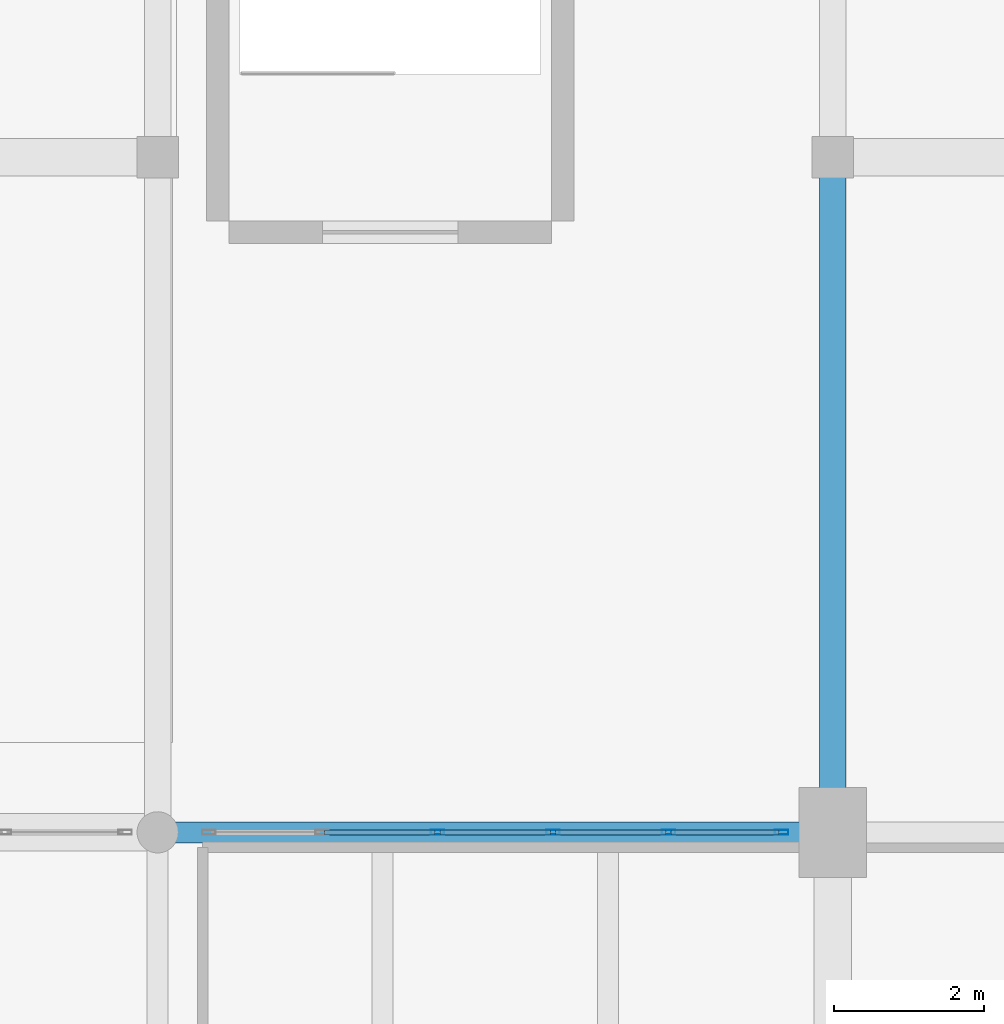
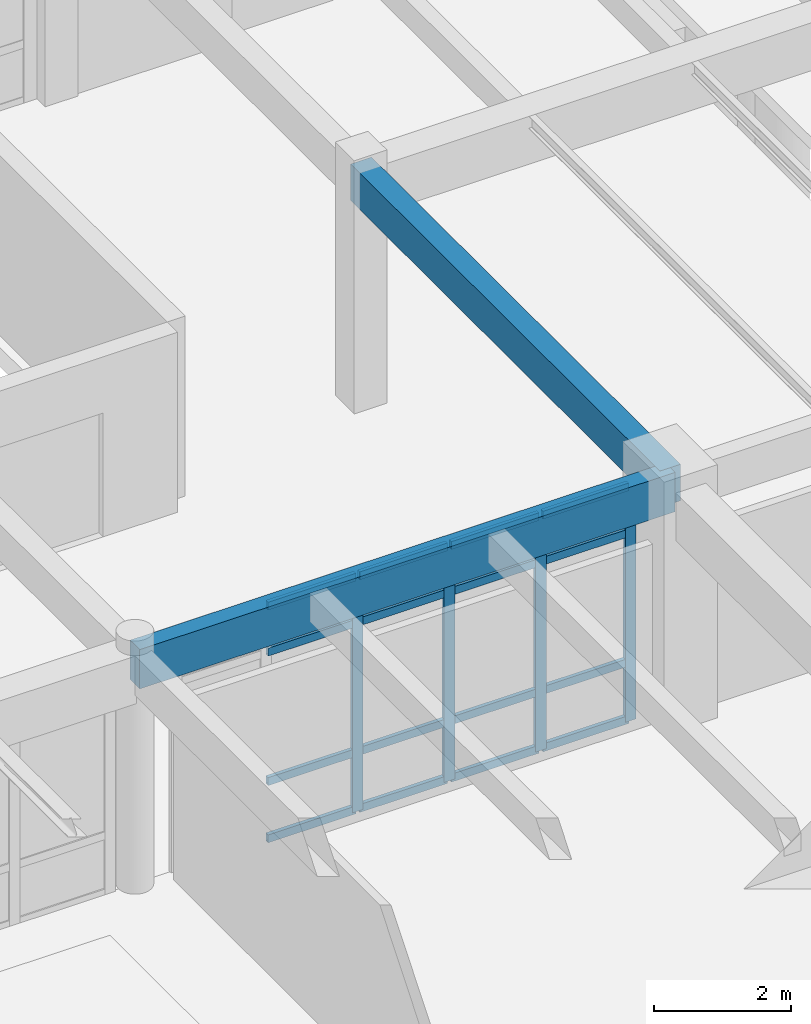
# One storey, part 89 of 186: 20 members, 2 beams, 1 element without a shape of its own.
"""IFC4 building model written with IfcOpenShell, lengths in metres."""

from ifc_helpers import new_model, si_unit, direction, frame, origin, origin_2d, place, context, subcontext, project, spatial, rectangle, hollow_rectangle, extrude, material, layer, layer_set, material_profile, profile_set, type_object, element, aggregate, save


model = new_model("IFC4")

# Units and contexts
model_context = context("Model", 3, precision=1e-05, world=origin(), true_north=direction((0.0, 1.0)))
body_context = subcontext(model_context, "Body", "Model", "MODEL_VIEW")
ifc_project = project(units=[si_unit("LENGTHUNIT", "METRE"), si_unit("AREAUNIT", "SQUARE_METRE"), si_unit("VOLUMEUNIT", "CUBIC_METRE"), si_unit("PLANEANGLEUNIT", "RADIAN"), si_unit("MASSUNIT", "GRAM", prefix="KILO")], contexts=[model_context])

# Site, building, storey
site_placement = place(None, origin())
site = spatial("IfcSite", under=ifc_project, at=site_placement, CompositionType="ELEMENT")
building_placement = place(site_placement, origin())
building = spatial("IfcBuilding", under=site, at=building_placement, Name="Ornek Quay Market", CompositionType="ELEMENT")
storey_placement = place(building_placement, origin())
storey = spatial("IfcBuildingStorey", under=building, at=storey_placement, Name="L00", CompositionType="ELEMENT", Elevation=0.0)

# Beams
ifc_material_1 = material(Name="Concrete C35/45", Category="concrete")
ifc_material_profile_1 = material_profile(ifc_material_1, rectangle(XDim=0.35009765625, YDim=0.64990234375, at=origin_2d()), Name="RC 350x650", Category="concrete")
ifc_profile_set_1 = profile_set([ifc_material_profile_1], Name="Concrete C35/45")
beam_type_1 = type_object("IfcBeamType", Name="BM-CONC-350x650", PredefinedType="BEAM", material=ifc_profile_set_1)
beam_1_placement = place(storey_placement, frame((117.0, 92.0, 3.9150390625), z_axis=(0.0, 1.0, 0.0), x_axis=(-1.0, 0.0, 0.0)))
element("IfcBeam", 1, at=beam_1_placement, inside=storey, type_object=beam_type_1, Name="Primary beam B-CN1-109", PredefinedType="BEAM", context=body_context, shape_type="SweptSolid", body=[
    extrude(rectangle(XDim=0.35009765625, YDim=0.64990234375, at=origin_2d()), origin(), (0.0, 0.0, 1.0), 9.0),
])
ifc_material_profile_2 = material_profile(ifc_material_1, rectangle(XDim=0.280029296875, YDim=0.699951171875, at=origin_2d()), Name="RC 280x700", Category="concrete")
ifc_profile_set_2 = profile_set([ifc_material_profile_2], Name="Concrete C35/45")
beam_type_2 = type_object("IfcBeamType", Name="BM-SPN-280x700", PredefinedType="SPANDREL", material=ifc_profile_set_2)
beam_2_placement = place(storey_placement, frame((108.0, 92.0, 3.889892578125), z_axis=(1.0, 0.0, 0.0), x_axis=(0.0, 1.0, 0.0)))
element("IfcBeam", 2, at=beam_2_placement, inside=storey, type_object=beam_type_2, Name="Primary beam B-SP2-033", PredefinedType="SPANDREL", context=body_context, shape_type="SweptSolid", body=[
    extrude(rectangle(XDim=0.280029296875, YDim=0.699951171875, at=origin_2d()), origin(), (0.0, 0.0, 1.0), 9.0),
])

# Curtain wall, members
ifc_material_2 = material(Name="Anodised bronze aluminium and triple low-e glass", Category="aluminium")
ifc_layer = layer(ifc_material_2, 0.139892578125, Name="Anodised bronze aluminium and triple low-e glass", Category="aluminium")
ifc_layer_set = layer_set([ifc_layer], Name="Anodised bronze aluminium and triple low-e glass")
curtain_wall_type = type_object("IfcCurtainWallType", Name="CW-GALLERY-INT", PredefinedType="USERDEFINED", material=ifc_layer_set)
curtain_wall_placement = place(storey_placement, origin())
curtain_wall = element("IfcCurtainWall", 3, at=curtain_wall_placement, inside=storey, type_object=curtain_wall_type, Name="Curtain wall CW-126", ObjectType="CURTAIN WALL", PredefinedType="USERDEFINED")
ifc_material_3 = material(Name="Anodised aluminium 6063-T6", Category="aluminium")
ifc_material_profile_3 = material_profile(ifc_material_3, hollow_rectangle(XDim=0.06494140625, YDim=0.179931640625, WallThickness=0.00439453125, at=origin_2d()), Name="CW-MUL-65x180", Category="aluminium")
ifc_profile_set_3 = profile_set([ifc_material_profile_3], Name="Anodised aluminium 6063-T6")
member_type_1 = type_object("IfcMemberType", Name="CW-MUL-65x180", PredefinedType="MULLION", material=ifc_profile_set_3)
member_1_placement = place(storey_placement, frame((111.72998046875, 92.0, 0.0), z_axis=(0.0, 0.0, 1.0), x_axis=(0.0, 1.0, 0.0)))
member_1 = element("IfcMember", 4, at=member_1_placement, type_object=member_type_1, Name="CW-126 mullion 3", PredefinedType="MULLION", context=body_context, shape_type="SweptSolid", body=[
    extrude(hollow_rectangle(XDim=0.06494140625, YDim=0.179931640625, WallThickness=0.00439453125, at=origin_2d()), origin(), (0.0, 0.0, 1.0), 4.199951171875),
])
member_2_placement = place(storey_placement, frame((113.27001953125, 92.0, 0.0), z_axis=(0.0, 0.0, 1.0), x_axis=(0.0, 1.0, 0.0)))
member_2 = element("IfcMember", 5, at=member_2_placement, type_object=member_type_1, Name="CW-126 mullion 4", PredefinedType="MULLION", context=body_context, shape_type="SweptSolid", body=[
    extrude(hollow_rectangle(XDim=0.06494140625, YDim=0.179931640625, WallThickness=0.00439453125, at=origin_2d()), origin(), (0.0, 0.0, 1.0), 4.199951171875),
])
member_3_placement = place(storey_placement, frame((114.81005859375, 92.0, 0.0), z_axis=(0.0, 0.0, 1.0), x_axis=(0.0, 1.0, 0.0)))
member_3 = element("IfcMember", 6, at=member_3_placement, type_object=member_type_1, Name="CW-126 mullion 5", PredefinedType="MULLION", context=body_context, shape_type="SweptSolid", body=[
    extrude(hollow_rectangle(XDim=0.06494140625, YDim=0.179931640625, WallThickness=0.00439453125, at=origin_2d()), origin(), (0.0, 0.0, 1.0), 4.199951171875),
])
member_4_placement = place(storey_placement, frame((116.3173828125, 92.0, 0.0), z_axis=(0.0, 0.0, 1.0), x_axis=(0.0, 1.0, 0.0)))
member_4 = element("IfcMember", 7, at=member_4_placement, type_object=member_type_1, Name="CW-126 mullion 6", PredefinedType="MULLION", context=body_context, shape_type="SweptSolid", body=[
    extrude(hollow_rectangle(XDim=0.06494140625, YDim=0.179931640625, WallThickness=0.00439453125, at=origin_2d()), origin(), (0.0, 0.0, 1.0), 4.199951171875),
])
ifc_material_profile_4 = material_profile(ifc_material_3, hollow_rectangle(XDim=0.06494140625, YDim=0.139892578125, WallThickness=0.00439453125, at=origin_2d()), Name="CW-TRN-65x140", Category="aluminium")
ifc_profile_set_4 = profile_set([ifc_material_profile_4], Name="Anodised aluminium 6063-T6")
member_type_2 = type_object("IfcMemberType", Name="CW-TRN-65x140", PredefinedType="USERDEFINED", material=ifc_profile_set_4)
member_5_placement = place(storey_placement, frame((110.222412109375, 92.0, 0.032470703125), z_axis=(1.0, 0.0, 0.0), x_axis=(0.0, 1.0, 0.0)))
member_5 = element("IfcMember", 8, at=member_5_placement, type_object=member_type_2, Name="CW-126 transom 2.1", ObjectType="TRANSOM", PredefinedType="USERDEFINED", context=body_context, shape_type="SweptSolid", body=[
    extrude(hollow_rectangle(XDim=0.06494140625, YDim=0.139892578125, WallThickness=0.00439453125, at=origin_2d()), origin(), (0.0, 0.0, 1.0), 1.47509765625),
])
member_6_placement = place(storey_placement, frame((110.222412109375, 92.0, 1.050048828125), z_axis=(1.0, 0.0, 0.0), x_axis=(0.0, 1.0, 0.0)))
member_6 = element("IfcMember", 9, at=member_6_placement, type_object=member_type_2, Name="CW-126 transom 2.2", ObjectType="TRANSOM", PredefinedType="USERDEFINED", context=body_context, shape_type="SweptSolid", body=[
    extrude(hollow_rectangle(XDim=0.06494140625, YDim=0.139892578125, WallThickness=0.00439453125, at=origin_2d()), origin(), (0.0, 0.0, 1.0), 1.47509765625),
])
member_7_placement = place(storey_placement, frame((110.222412109375, 92.0, 3.35009765625), z_axis=(1.0, 0.0, 0.0), x_axis=(0.0, 1.0, 0.0)))
member_7 = element("IfcMember", 10, at=member_7_placement, type_object=member_type_2, Name="CW-126 transom 2.3", ObjectType="TRANSOM", PredefinedType="USERDEFINED", context=body_context, shape_type="SweptSolid", body=[
    extrude(hollow_rectangle(XDim=0.06494140625, YDim=0.139892578125, WallThickness=0.00439453125, at=origin_2d()), origin(), (0.0, 0.0, 1.0), 1.47509765625),
])
member_8_placement = place(storey_placement, frame((110.222412109375, 92.0, 4.16748046875), z_axis=(1.0, 0.0, 0.0), x_axis=(0.0, 1.0, 0.0)))
member_8 = element("IfcMember", 11, at=member_8_placement, type_object=member_type_2, Name="CW-126 transom 2.4", ObjectType="TRANSOM", PredefinedType="USERDEFINED", context=body_context, shape_type="SweptSolid", body=[
    extrude(hollow_rectangle(XDim=0.06494140625, YDim=0.139892578125, WallThickness=0.00439453125, at=origin_2d()), origin(), (0.0, 0.0, 1.0), 1.47509765625),
])
member_9_placement = place(storey_placement, frame((111.762451171875, 92.0, 0.032470703125), z_axis=(1.0, 0.0, 0.0), x_axis=(0.0, 1.0, 0.0)))
member_9 = element("IfcMember", 12, at=member_9_placement, type_object=member_type_2, Name="CW-126 transom 3.1", ObjectType="TRANSOM", PredefinedType="USERDEFINED", context=body_context, shape_type="SweptSolid", body=[
    extrude(hollow_rectangle(XDim=0.06494140625, YDim=0.139892578125, WallThickness=0.00439453125, at=origin_2d()), origin(), (0.0, 0.0, 1.0), 1.47509765625),
])
member_10_placement = place(storey_placement, frame((111.762451171875, 92.0, 1.050048828125), z_axis=(1.0, 0.0, 0.0), x_axis=(0.0, 1.0, 0.0)))
member_10 = element("IfcMember", 13, at=member_10_placement, type_object=member_type_2, Name="CW-126 transom 3.2", ObjectType="TRANSOM", PredefinedType="USERDEFINED", context=body_context, shape_type="SweptSolid", body=[
    extrude(hollow_rectangle(XDim=0.06494140625, YDim=0.139892578125, WallThickness=0.00439453125, at=origin_2d()), origin(), (0.0, 0.0, 1.0), 1.47509765625),
])
member_11_placement = place(storey_placement, frame((111.762451171875, 92.0, 3.35009765625), z_axis=(1.0, 0.0, 0.0), x_axis=(0.0, 1.0, 0.0)))
member_11 = element("IfcMember", 14, at=member_11_placement, type_object=member_type_2, Name="CW-126 transom 3.3", ObjectType="TRANSOM", PredefinedType="USERDEFINED", context=body_context, shape_type="SweptSolid", body=[
    extrude(hollow_rectangle(XDim=0.06494140625, YDim=0.139892578125, WallThickness=0.00439453125, at=origin_2d()), origin(), (0.0, 0.0, 1.0), 1.47509765625),
])
member_12_placement = place(storey_placement, frame((111.762451171875, 92.0, 4.16748046875), z_axis=(1.0, 0.0, 0.0), x_axis=(0.0, 1.0, 0.0)))
member_12 = element("IfcMember", 15, at=member_12_placement, type_object=member_type_2, Name="CW-126 transom 3.4", ObjectType="TRANSOM", PredefinedType="USERDEFINED", context=body_context, shape_type="SweptSolid", body=[
    extrude(hollow_rectangle(XDim=0.06494140625, YDim=0.139892578125, WallThickness=0.00439453125, at=origin_2d()), origin(), (0.0, 0.0, 1.0), 1.47509765625),
])
member_13_placement = place(storey_placement, frame((113.302490234375, 92.0, 0.032470703125), z_axis=(1.0, 0.0, 0.0), x_axis=(0.0, 1.0, 0.0)))
member_13 = element("IfcMember", 16, at=member_13_placement, type_object=member_type_2, Name="CW-126 transom 4.1", ObjectType="TRANSOM", PredefinedType="USERDEFINED", context=body_context, shape_type="SweptSolid", body=[
    extrude(hollow_rectangle(XDim=0.06494140625, YDim=0.139892578125, WallThickness=0.00439453125, at=origin_2d()), origin(), (0.0, 0.0, 1.0), 1.47509765625),
])
member_14_placement = place(storey_placement, frame((113.302490234375, 92.0, 1.050048828125), z_axis=(1.0, 0.0, 0.0), x_axis=(0.0, 1.0, 0.0)))
member_14 = element("IfcMember", 17, at=member_14_placement, type_object=member_type_2, Name="CW-126 transom 4.2", ObjectType="TRANSOM", PredefinedType="USERDEFINED", context=body_context, shape_type="SweptSolid", body=[
    extrude(hollow_rectangle(XDim=0.06494140625, YDim=0.139892578125, WallThickness=0.00439453125, at=origin_2d()), origin(), (0.0, 0.0, 1.0), 1.47509765625),
])
member_15_placement = place(storey_placement, frame((113.302490234375, 92.0, 3.35009765625), z_axis=(1.0, 0.0, 0.0), x_axis=(0.0, 1.0, 0.0)))
member_15 = element("IfcMember", 18, at=member_15_placement, type_object=member_type_2, Name="CW-126 transom 4.3", ObjectType="TRANSOM", PredefinedType="USERDEFINED", context=body_context, shape_type="SweptSolid", body=[
    extrude(hollow_rectangle(XDim=0.06494140625, YDim=0.139892578125, WallThickness=0.00439453125, at=origin_2d()), origin(), (0.0, 0.0, 1.0), 1.47509765625),
])
member_16_placement = place(storey_placement, frame((113.302490234375, 92.0, 4.16748046875), z_axis=(1.0, 0.0, 0.0), x_axis=(0.0, 1.0, 0.0)))
member_16 = element("IfcMember", 19, at=member_16_placement, type_object=member_type_2, Name="CW-126 transom 4.4", ObjectType="TRANSOM", PredefinedType="USERDEFINED", context=body_context, shape_type="SweptSolid", body=[
    extrude(hollow_rectangle(XDim=0.06494140625, YDim=0.139892578125, WallThickness=0.00439453125, at=origin_2d()), origin(), (0.0, 0.0, 1.0), 1.47509765625),
])
member_17_placement = place(storey_placement, frame((114.842529296875, 92.0, 0.032470703125), z_axis=(1.0, 0.0, 0.0), x_axis=(0.0, 1.0, 0.0)))
member_17 = element("IfcMember", 20, at=member_17_placement, type_object=member_type_2, Name="CW-126 transom 5.1", ObjectType="TRANSOM", PredefinedType="USERDEFINED", context=body_context, shape_type="SweptSolid", body=[
    extrude(hollow_rectangle(XDim=0.06494140625, YDim=0.139892578125, WallThickness=0.00439453125, at=origin_2d()), origin(), (0.0, 0.0, 1.0), 1.4423828125),
])
member_18_placement = place(storey_placement, frame((114.842529296875, 92.0, 1.050048828125), z_axis=(1.0, 0.0, 0.0), x_axis=(0.0, 1.0, 0.0)))
member_18 = element("IfcMember", 21, at=member_18_placement, type_object=member_type_2, Name="CW-126 transom 5.2", ObjectType="TRANSOM", PredefinedType="USERDEFINED", context=body_context, shape_type="SweptSolid", body=[
    extrude(hollow_rectangle(XDim=0.06494140625, YDim=0.139892578125, WallThickness=0.00439453125, at=origin_2d()), origin(), (0.0, 0.0, 1.0), 1.4423828125),
])
member_19_placement = place(storey_placement, frame((114.842529296875, 92.0, 3.35009765625), z_axis=(1.0, 0.0, 0.0), x_axis=(0.0, 1.0, 0.0)))
member_19 = element("IfcMember", 22, at=member_19_placement, type_object=member_type_2, Name="CW-126 transom 5.3", ObjectType="TRANSOM", PredefinedType="USERDEFINED", context=body_context, shape_type="SweptSolid", body=[
    extrude(hollow_rectangle(XDim=0.06494140625, YDim=0.139892578125, WallThickness=0.00439453125, at=origin_2d()), origin(), (0.0, 0.0, 1.0), 1.4423828125),
])
member_20_placement = place(storey_placement, frame((114.842529296875, 92.0, 4.16748046875), z_axis=(1.0, 0.0, 0.0), x_axis=(0.0, 1.0, 0.0)))
member_20 = element("IfcMember", 23, at=member_20_placement, type_object=member_type_2, Name="CW-126 transom 5.4", ObjectType="TRANSOM", PredefinedType="USERDEFINED", context=body_context, shape_type="SweptSolid", body=[
    extrude(hollow_rectangle(XDim=0.06494140625, YDim=0.139892578125, WallThickness=0.00439453125, at=origin_2d()), origin(), (0.0, 0.0, 1.0), 1.4423828125),
])
aggregate(curtain_wall, [member_1, member_2, member_3, member_4, member_5, member_6, member_7, member_8, member_9, member_10, member_11, member_12, member_13, member_14, member_15, member_16, member_17, member_18, member_19, member_20])

save(model, "model.ifc")
